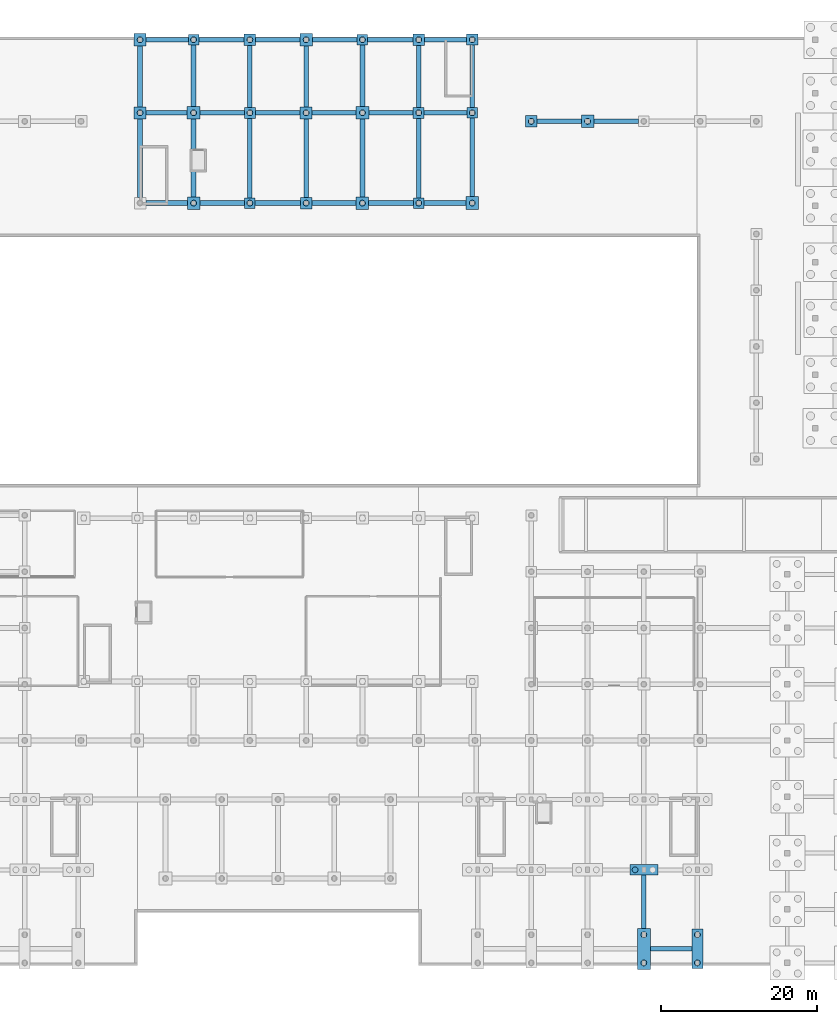
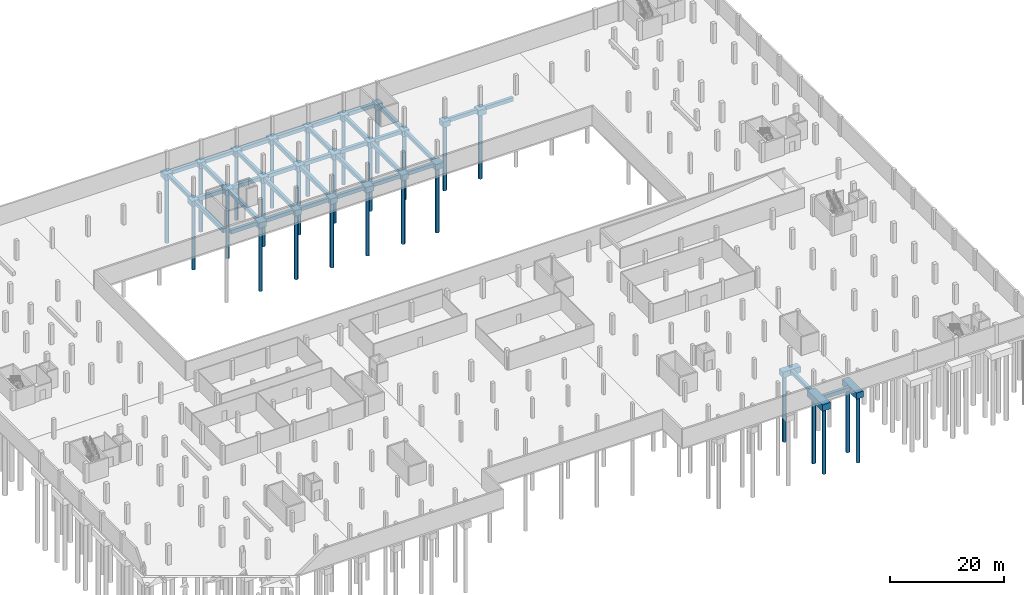
# One storey, part 8 of 36: 61 footings, 27 piles.
"""IFC4 building model written with IfcOpenShell, lengths in metres."""

from ifc_helpers import new_model, si_unit, derived_unit, direction, frame, origin, origin_2d, place, context, subcontext, project, spatial, polyline, rectangle, circle, outline, extrude, material, material_profile, profile_set, type_object, element, save


model = new_model("IFC4")

# Units and contexts
model_context = context("Model", 3, precision=1e-05, world=origin(), true_north=direction((0.0, 1.0)))
body_context = subcontext(model_context, "Body", "Model", "MODEL_VIEW")
ifc_project = project(units=[si_unit("LENGTHUNIT", "METRE"), si_unit("AREAUNIT", "SQUARE_METRE"), si_unit("VOLUMEUNIT", "CUBIC_METRE"), si_unit("PLANEANGLEUNIT", "RADIAN"), si_unit("MASSUNIT", "GRAM", prefix="KILO"), derived_unit("THERMALTRANSMITTANCEUNIT", [(si_unit("MASSUNIT", "GRAM", prefix="KILO"), 1), (si_unit("TIMEUNIT", "SECOND"), -3), (si_unit("THERMODYNAMICTEMPERATUREUNIT", "KELVIN"), -1)])], contexts=[model_context])

# Site, building, storey
site_placement = place(None, origin())
site = spatial("IfcSite", under=ifc_project, at=site_placement, CompositionType="ELEMENT")
building_placement = place(site_placement, origin())
building = spatial("IfcBuilding", under=site, at=building_placement, Name="Ochrekiln Boulevard Commons", CompositionType="ELEMENT")
storey_placement = place(building_placement, frame((0.0, 0.0, -4.199951171875)))
storey = spatial("IfcBuildingStorey", under=building, at=storey_placement, Name="B1", CompositionType="ELEMENT", Elevation=-4.199951171875)

# Footings
ifc_material = material(Name="Concrete C35/45", Category="concrete")
footing_type_1 = type_object("IfcFootingType", Name="CAP-RC-1350x1350x1200", PredefinedType="PILE_CAP", material=ifc_material)
for number, where, z_axis, x_axis, name in (
    (1, (72.0, 118.449951171875, -1.5), (0.0, 0.0, 1.0), (1.0, 0.0, 0.0), "Reinforced Concrete Pile Cap PC-27 (96)"),
    (2, (79.199951171875, 97.550048828125, -1.5), (0.0, 0.0, 1.0), (1.0, 0.0, 0.0), "Reinforced Concrete Pile Cap PC-27 (102)"),
    (3, (93.60009765625, 118.449951171875, -1.5), (0.0, 0.0, 1.0), (1.0, 0.0, 0.0), "Reinforced Concrete Pile Cap PC-27 (120)"),
    (4, (100.800048828125, 97.550048828125, -1.5), (0.0, 0.0, 1.0), (1.0, 0.0, 0.0), "Reinforced Concrete Pile Cap PC-27 (126)"),
    (5, (107.64990234375, 109.10009765625, -1.5), (0.0, 0.0, 1.0), (1.0, 0.0, 0.0), "Reinforced Concrete Pile Cap PC-27 (132)"),
):
    element("IfcFooting", number, at=place(storey_placement, frame(where, z_axis=z_axis, x_axis=x_axis)), inside=storey, type_object=footing_type_1, Name=name, PredefinedType="PILE_CAP", context=body_context, shape_type="SweptSolid", body=[
        extrude(rectangle(XDim=1.35009765625, YDim=1.35009765625, at=origin_2d()), origin(), (0.0, 0.0, 1.0), 1.199951171875),
    ])
footing_type_2 = type_object("IfcFootingType", Name="CAP-RC-1410x1410x1200", PredefinedType="PILE_CAP", material=ifc_material)
for number, where, z_axis, x_axis, name in (
    (6, (79.199951171875, 109.10009765625, -1.5), (0.0, 0.0, 1.0), (1.0, 0.0, 0.0), "Reinforced Concrete Pile Cap PC-28 (103)"),
    (7, (100.800048828125, 109.10009765625, -1.5), (0.0, 0.0, 1.0), (1.0, 0.0, 0.0), "Reinforced Concrete Pile Cap PC-28 (127)"),
    (8, (107.64990234375, 118.449951171875, -1.5), (0.0, 0.0, 1.0), (1.0, 0.0, 0.0), "Reinforced Concrete Pile Cap PC-28 (133)"),
):
    element("IfcFooting", number, at=place(storey_placement, frame(where, z_axis=z_axis, x_axis=x_axis)), inside=storey, type_object=footing_type_2, Name=name, PredefinedType="PILE_CAP", context=body_context, shape_type="SweptSolid", body=[
        extrude(rectangle(XDim=1.409912109375, YDim=1.409912109375, at=origin_2d()), origin(), (0.0, 0.0, 1.0), 1.199951171875),
    ])
footing_type_3 = type_object("IfcFootingType", Name="CAP-RC-1410x5010x1300", PredefinedType="PILE_CAP", material=ifc_material)
footing_1_placement = place(storey_placement, frame((136.449951171875, 2.14990234375, -1.60009765625), z_axis=(0.0, 0.0, 1.0), x_axis=(1.0, 0.0, 0.0)))
element("IfcFooting", 9, at=footing_1_placement, inside=storey, type_object=footing_type_3, Name="Reinforced Concrete Pile Cap PC-34 (163)", PredefinedType="PILE_CAP", context=body_context, shape_type="SweptSolid", body=[
    extrude(rectangle(XDim=1.409912109375, YDim=5.010009765625, at=origin_2d()), origin(), (0.0, 0.0, 1.0), 1.300048828125),
])
footing_type_4 = type_object("IfcFootingType", Name="CAP-RC-1470x1470x1200", PredefinedType="PILE_CAP", material=ifc_material)
for number, where, z_axis, x_axis, name in (
    (10, (79.199951171875, 118.449951171875, -1.5), (0.0, 0.0, 1.0), (1.0, 0.0, 0.0), "Reinforced Concrete Pile Cap PC-29 (104)"),
    (11, (86.39990234375, 97.550048828125, -1.5), (0.0, 0.0, 1.0), (1.0, 0.0, 0.0), "Reinforced Concrete Pile Cap PC-29 (110)"),
    (12, (100.800048828125, 118.449951171875, -1.5), (0.0, 0.0, 1.0), (1.0, 0.0, 0.0), "Reinforced Concrete Pile Cap PC-29 (128)"),
    (13, (115.199951171875, 108.0, -1.5), (0.0, 0.0, 1.0), (1.0, 0.0, 0.0), "Reinforced Concrete Pile Cap PC-29 (146)"),
):
    element("IfcFooting", number, at=place(storey_placement, frame(where, z_axis=z_axis, x_axis=x_axis)), inside=storey, type_object=footing_type_4, Name=name, PredefinedType="PILE_CAP", context=body_context, shape_type="SweptSolid", body=[
        extrude(rectangle(XDim=1.469970703125, YDim=1.469970703125, at=origin_2d()), origin(), (0.0, 0.0, 1.0), 1.199951171875),
    ])
footing_type_5 = type_object("IfcFootingType", Name="CAP-RC-1530x1530x1200", PredefinedType="PILE_CAP", material=ifc_material)
for number, where, z_axis, x_axis, name in (
    (14, (65.14990234375, 109.10009765625, -1.5), (0.0, 0.0, 1.0), (1.0, 0.0, 0.0), "Reinforced Concrete Pile Cap PC-30 (87)"),
    (15, (86.39990234375, 109.10009765625, -1.5), (0.0, 0.0, 1.0), (1.0, 0.0, 0.0), "Reinforced Concrete Pile Cap PC-30 (111)"),
):
    element("IfcFooting", number, at=place(storey_placement, frame(where, z_axis=z_axis, x_axis=x_axis)), inside=storey, type_object=footing_type_5, Name=name, PredefinedType="PILE_CAP", context=body_context, shape_type="SweptSolid", body=[
        extrude(rectangle(XDim=1.530029296875, YDim=1.530029296875, at=origin_2d()), origin(), (0.0, 0.0, 1.0), 1.199951171875),
    ])
footing_type_6 = type_object("IfcFootingType", Name="CAP-RC-1590x1590x1200", PredefinedType="PILE_CAP", material=ifc_material)
for number, where, z_axis, x_axis, name in (
    (16, (65.14990234375, 118.449951171875, -1.5), (0.0, 0.0, 1.0), (1.0, 0.0, 0.0), "Reinforced Concrete Pile Cap PC-26 (88)"),
    (17, (72.0, 97.550048828125, -1.5), (0.0, 0.0, 1.0), (1.0, 0.0, 0.0), "Reinforced Concrete Pile Cap PC-26 (94)"),
    (18, (86.39990234375, 118.449951171875, -1.5), (0.0, 0.0, 1.0), (1.0, 0.0, 0.0), "Reinforced Concrete Pile Cap PC-26 (112)"),
    (19, (93.60009765625, 97.550048828125, -1.5), (0.0, 0.0, 1.0), (1.0, 0.0, 0.0), "Reinforced Concrete Pile Cap PC-26 (118)"),
    (20, (122.39990234375, 108.0, -1.5), (0.0, 0.0, 1.0), (1.0, 0.0, 0.0), "Reinforced Concrete Pile Cap PC-26 (154)"),
):
    element("IfcFooting", number, at=place(storey_placement, frame(where, z_axis=z_axis, x_axis=x_axis)), inside=storey, type_object=footing_type_6, Name=name, PredefinedType="PILE_CAP", context=body_context, shape_type="SweptSolid", body=[
        extrude(rectangle(XDim=1.590087890625, YDim=1.590087890625, at=origin_2d()), origin(), (0.0, 0.0, 1.0), 1.199951171875),
    ])
footing_type_7 = type_object("IfcFootingType", Name="CAP-RC-1650x1650x1200", PredefinedType="PILE_CAP", material=ifc_material)
for number, where, z_axis, x_axis, name in (
    (21, (72.0, 109.10009765625, -1.5), (0.0, 0.0, 1.0), (1.0, 0.0, 0.0), "Reinforced Concrete Pile Cap PC-17 (95)"),
    (22, (93.60009765625, 109.10009765625, -1.5), (0.0, 0.0, 1.0), (1.0, 0.0, 0.0), "Reinforced Concrete Pile Cap PC-17 (119)"),
    (23, (107.64990234375, 97.550048828125, -1.5), (0.0, 0.0, 1.0), (1.0, 0.0, 0.0), "Reinforced Concrete Pile Cap PC-17 (131)"),
):
    element("IfcFooting", number, at=place(storey_placement, frame(where, z_axis=z_axis, x_axis=x_axis)), inside=storey, type_object=footing_type_7, Name=name, PredefinedType="PILE_CAP", context=body_context, shape_type="SweptSolid", body=[
        extrude(rectangle(XDim=1.64990234375, YDim=1.64990234375, at=origin_2d()), origin(), (0.0, 0.0, 1.0), 1.199951171875),
    ])
footing_type_8 = type_object("IfcFootingType", Name="CAP-RC-1650x5250x1350", PredefinedType="PILE_CAP", material=ifc_material)
footing_2_placement = place(storey_placement, frame((129.60009765625, 2.14990234375, -1.650146484375), z_axis=(0.0, 0.0, 1.0), x_axis=(1.0, 0.0, 0.0)))
element("IfcFooting", 24, at=footing_2_placement, inside=storey, type_object=footing_type_8, Name="Reinforced Concrete Pile Cap PC-41 (155)", PredefinedType="PILE_CAP", context=body_context, shape_type="SweptSolid", body=[
    extrude(rectangle(XDim=1.64990234375, YDim=5.25, at=origin_2d()), origin(), (0.0, 0.0, 1.0), 1.35009765625),
])
footing_type_9 = type_object("IfcFootingType", Name="CAP-RC-3600x1350x1250", PredefinedType="PILE_CAP", material=ifc_material)
footing_3_placement = place(storey_placement, frame((129.60009765625, 12.25, -1.550048828125), z_axis=(0.0, 0.0, 1.0), x_axis=(1.0, 0.0, 0.0)))
element("IfcFooting", 25, at=footing_3_placement, inside=storey, type_object=footing_type_9, Name="Reinforced Concrete Pile Cap PC-33 (156)", PredefinedType="PILE_CAP", context=body_context, shape_type="SweptSolid", body=[
    extrude(rectangle(XDim=3.60009765625, YDim=1.35009765625, at=origin_2d()), origin(), (0.0, 0.0, 1.0), 1.25),
])
footing_type_10 = type_object("IfcFootingType", Name="FTG-BEAM-600x800", PredefinedType="FOOTING_BEAM", material=ifc_material)
footing_4_placement = place(storey_placement, frame((0.0, 0.0, -1.10009765625)))
element("IfcFooting", 26, at=footing_4_placement, inside=storey, type_object=footing_type_10, Name="Seismic Footing Tie Beam FB-6080 X-102", PredefinedType="FOOTING_BEAM", context=body_context, shape_type="SweptSolid", body=[
    extrude(outline(polyline([(65.885009765625, 97.25), (71.205078125, 97.25), (71.205078125, 97.85009765625), (65.885009765625, 97.85009765625), (65.885009765625, 97.25)])), origin(), (0.0, 0.0, 1.0), 0.800048828125),
])
footing_5_placement = place(storey_placement, frame((0.0, 0.0, -1.10009765625)))
element("IfcFooting", 27, at=footing_5_placement, inside=storey, type_object=footing_type_10, Name="Seismic Footing Tie Beam FB-6080 X-103", PredefinedType="FOOTING_BEAM", context=body_context, shape_type="SweptSolid", body=[
    extrude(outline(polyline([(72.794921875, 97.25), (78.52490234375, 97.25), (78.52490234375, 97.85009765625), (72.794921875, 97.85009765625), (72.794921875, 97.25)])), origin(), (0.0, 0.0, 1.0), 0.800048828125),
])
footing_6_placement = place(storey_placement, frame((0.0, 0.0, -1.10009765625)))
element("IfcFooting", 28, at=footing_6_placement, inside=storey, type_object=footing_type_10, Name="Seismic Footing Tie Beam FB-6080 X-104", PredefinedType="FOOTING_BEAM", context=body_context, shape_type="SweptSolid", body=[
    extrude(outline(polyline([(79.875, 97.25), (85.6650390625, 97.25), (85.6650390625, 97.85009765625), (79.875, 97.85009765625), (79.875, 97.25)])), origin(), (0.0, 0.0, 1.0), 0.800048828125),
])
footing_7_placement = place(storey_placement, frame((0.0, 0.0, -1.10009765625)))
element("IfcFooting", 29, at=footing_7_placement, inside=storey, type_object=footing_type_10, Name="Seismic Footing Tie Beam FB-6080 X-105", PredefinedType="FOOTING_BEAM", context=body_context, shape_type="SweptSolid", body=[
    extrude(outline(polyline([(87.135009765625, 97.25), (92.804931640625, 97.25), (92.804931640625, 97.85009765625), (87.135009765625, 97.85009765625), (87.135009765625, 97.25)])), origin(), (0.0, 0.0, 1.0), 0.800048828125),
])
footing_8_placement = place(storey_placement, frame((0.0, 0.0, -1.10009765625)))
element("IfcFooting", 30, at=footing_8_placement, inside=storey, type_object=footing_type_10, Name="Seismic Footing Tie Beam FB-6080 X-106", PredefinedType="FOOTING_BEAM", context=body_context, shape_type="SweptSolid", body=[
    extrude(outline(polyline([(94.39501953125, 97.25), (100.125, 97.25), (100.125, 97.85009765625), (94.39501953125, 97.85009765625), (94.39501953125, 97.25)])), origin(), (0.0, 0.0, 1.0), 0.800048828125),
])
footing_9_placement = place(storey_placement, frame((0.0, 0.0, -1.10009765625)))
element("IfcFooting", 31, at=footing_9_placement, inside=storey, type_object=footing_type_10, Name="Seismic Footing Tie Beam FB-6080 X-107", PredefinedType="FOOTING_BEAM", context=body_context, shape_type="SweptSolid", body=[
    extrude(outline(polyline([(101.47509765625, 97.25), (106.824951171875, 97.25), (106.824951171875, 97.85009765625), (101.47509765625, 97.85009765625), (101.47509765625, 97.25)])), origin(), (0.0, 0.0, 1.0), 0.800048828125),
])
footing_10_placement = place(storey_placement, frame((0.0, 0.0, -1.10009765625)))
element("IfcFooting", 32, at=footing_10_placement, inside=storey, type_object=footing_type_10, Name="Seismic Footing Tie Beam FB-6080 X-114", PredefinedType="FOOTING_BEAM", context=body_context, shape_type="SweptSolid", body=[
    extrude(outline(polyline([(65.945068359375, 118.14990234375), (71.324951171875, 118.14990234375), (71.324951171875, 118.75), (65.945068359375, 118.75), (65.945068359375, 118.14990234375)])), origin(), (0.0, 0.0, 1.0), 0.800048828125),
])
footing_11_placement = place(storey_placement, frame((0.0, 0.0, -1.10009765625)))
element("IfcFooting", 33, at=footing_11_placement, inside=storey, type_object=footing_type_10, Name="Seismic Footing Tie Beam FB-6080 X-115", PredefinedType="FOOTING_BEAM", context=body_context, shape_type="SweptSolid", body=[
    extrude(outline(polyline([(72.675048828125, 118.14990234375), (78.465087890625, 118.14990234375), (78.465087890625, 118.75), (72.675048828125, 118.75), (72.675048828125, 118.14990234375)])), origin(), (0.0, 0.0, 1.0), 0.800048828125),
])
footing_12_placement = place(storey_placement, frame((0.0, 0.0, -1.10009765625)))
element("IfcFooting", 34, at=footing_12_placement, inside=storey, type_object=footing_type_10, Name="Seismic Footing Tie Beam FB-6080 X-116", PredefinedType="FOOTING_BEAM", context=body_context, shape_type="SweptSolid", body=[
    extrude(outline(polyline([(79.93505859375, 118.14990234375), (85.60498046875, 118.14990234375), (85.60498046875, 118.75), (79.93505859375, 118.75), (79.93505859375, 118.14990234375)])), origin(), (0.0, 0.0, 1.0), 0.800048828125),
])
footing_13_placement = place(storey_placement, frame((0.0, 0.0, -1.10009765625)))
element("IfcFooting", 35, at=footing_13_placement, inside=storey, type_object=footing_type_10, Name="Seismic Footing Tie Beam FB-6080 X-117", PredefinedType="FOOTING_BEAM", context=body_context, shape_type="SweptSolid", body=[
    extrude(outline(polyline([(87.195068359375, 118.14990234375), (92.925048828125, 118.14990234375), (92.925048828125, 118.75), (87.195068359375, 118.75), (87.195068359375, 118.14990234375)])), origin(), (0.0, 0.0, 1.0), 0.800048828125),
])
footing_14_placement = place(storey_placement, frame((0.0, 0.0, -1.10009765625)))
element("IfcFooting", 36, at=footing_14_placement, inside=storey, type_object=footing_type_10, Name="Seismic Footing Tie Beam FB-6080 X-118", PredefinedType="FOOTING_BEAM", context=body_context, shape_type="SweptSolid", body=[
    extrude(outline(polyline([(94.27490234375, 118.14990234375), (100.06494140625, 118.14990234375), (100.06494140625, 118.75), (94.27490234375, 118.75), (94.27490234375, 118.14990234375)])), origin(), (0.0, 0.0, 1.0), 0.800048828125),
])
footing_15_placement = place(storey_placement, frame((0.0, 0.0, -1.10009765625)))
element("IfcFooting", 37, at=footing_15_placement, inside=storey, type_object=footing_type_10, Name="Seismic Footing Tie Beam FB-6080 X-119", PredefinedType="FOOTING_BEAM", context=body_context, shape_type="SweptSolid", body=[
    extrude(outline(polyline([(101.534912109375, 118.14990234375), (106.945068359375, 118.14990234375), (106.945068359375, 118.75), (101.534912109375, 118.75), (101.534912109375, 118.14990234375)])), origin(), (0.0, 0.0, 1.0), 0.800048828125),
])
footing_16_placement = place(storey_placement, frame((0.0, 0.0, -1.10009765625)))
element("IfcFooting", 38, at=footing_16_placement, inside=storey, type_object=footing_type_10, Name="Seismic Footing Tie Beam FB-6080 X-136", PredefinedType="FOOTING_BEAM", context=body_context, shape_type="SweptSolid", body=[
    extrude(outline(polyline([(115.93505859375, 107.699951171875), (121.60498046875, 107.699951171875), (121.60498046875, 108.300048828125), (115.93505859375, 108.300048828125), (115.93505859375, 107.699951171875)])), origin(), (0.0, 0.0, 1.0), 0.800048828125),
])
footing_17_placement = place(storey_placement, frame((0.0, 0.0, -1.10009765625)))
element("IfcFooting", 39, at=footing_17_placement, inside=storey, type_object=footing_type_10, Name="Seismic Footing Tie Beam FB-6080 X-137", PredefinedType="FOOTING_BEAM", context=body_context, shape_type="SweptSolid", body=[
    extrude(outline(polyline([(123.195068359375, 107.699951171875), (128.925048828125, 107.699951171875), (128.925048828125, 108.300048828125), (123.195068359375, 108.300048828125), (123.195068359375, 107.699951171875)])), origin(), (0.0, 0.0, 1.0), 0.800048828125),
])
footing_18_placement = place(storey_placement, frame((0.0, 0.0, -1.10009765625)))
element("IfcFooting", 40, at=footing_18_placement, inside=storey, type_object=footing_type_10, Name="Seismic Footing Tie Beam FB-6080 X-147", PredefinedType="FOOTING_BEAM", context=body_context, shape_type="SweptSolid", body=[
    extrude(outline(polyline([(130.425048828125, 1.85009765625), (135.7451171875, 1.85009765625), (135.7451171875, 2.449951171875), (130.425048828125, 2.449951171875), (130.425048828125, 1.85009765625)])), origin(), (0.0, 0.0, 1.0), 0.800048828125),
])
footing_19_placement = place(storey_placement, frame((0.0, 0.0, -1.10009765625)))
element("IfcFooting", 41, at=footing_19_placement, inside=storey, type_object=footing_type_10, Name="Seismic Footing Tie Beam FB-6080 X-156", PredefinedType="FOOTING_BEAM", context=body_context, shape_type="SweptSolid", body=[
    extrude(outline(polyline([(65.9150390625, 108.800048828125), (71.175048828125, 108.800048828125), (71.175048828125, 109.39990234375), (65.9150390625, 109.39990234375), (65.9150390625, 108.800048828125)])), origin(), (0.0, 0.0, 1.0), 0.800048828125),
])
footing_20_placement = place(storey_placement, frame((0.0, 0.0, -1.10009765625)))
element("IfcFooting", 42, at=footing_20_placement, inside=storey, type_object=footing_type_10, Name="Seismic Footing Tie Beam FB-6080 X-157", PredefinedType="FOOTING_BEAM", context=body_context, shape_type="SweptSolid", body=[
    extrude(outline(polyline([(72.824951171875, 108.800048828125), (78.4951171875, 108.800048828125), (78.4951171875, 109.39990234375), (72.824951171875, 109.39990234375), (72.824951171875, 108.800048828125)])), origin(), (0.0, 0.0, 1.0), 0.800048828125),
])
footing_21_placement = place(storey_placement, frame((0.0, 0.0, -1.10009765625)))
element("IfcFooting", 43, at=footing_21_placement, inside=storey, type_object=footing_type_10, Name="Seismic Footing Tie Beam FB-6080 X-158", PredefinedType="FOOTING_BEAM", context=body_context, shape_type="SweptSolid", body=[
    extrude(outline(polyline([(79.905029296875, 108.800048828125), (85.635009765625, 108.800048828125), (85.635009765625, 109.39990234375), (79.905029296875, 109.39990234375), (79.905029296875, 108.800048828125)])), origin(), (0.0, 0.0, 1.0), 0.800048828125),
])
footing_22_placement = place(storey_placement, frame((0.0, 0.0, -1.10009765625)))
element("IfcFooting", 44, at=footing_22_placement, inside=storey, type_object=footing_type_10, Name="Seismic Footing Tie Beam FB-6080 X-159", PredefinedType="FOOTING_BEAM", context=body_context, shape_type="SweptSolid", body=[
    extrude(outline(polyline([(87.1650390625, 108.800048828125), (92.77490234375, 108.800048828125), (92.77490234375, 109.39990234375), (87.1650390625, 109.39990234375), (87.1650390625, 108.800048828125)])), origin(), (0.0, 0.0, 1.0), 0.800048828125),
])
footing_23_placement = place(storey_placement, frame((0.0, 0.0, -1.10009765625)))
element("IfcFooting", 45, at=footing_23_placement, inside=storey, type_object=footing_type_10, Name="Seismic Footing Tie Beam FB-6080 X-160", PredefinedType="FOOTING_BEAM", context=body_context, shape_type="SweptSolid", body=[
    extrude(outline(polyline([(94.425048828125, 108.800048828125), (100.094970703125, 108.800048828125), (100.094970703125, 109.39990234375), (94.425048828125, 109.39990234375), (94.425048828125, 108.800048828125)])), origin(), (0.0, 0.0, 1.0), 0.800048828125),
])
footing_24_placement = place(storey_placement, frame((0.0, 0.0, -1.10009765625)))
element("IfcFooting", 46, at=footing_24_placement, inside=storey, type_object=footing_type_10, Name="Seismic Footing Tie Beam FB-6080 X-161", PredefinedType="FOOTING_BEAM", context=body_context, shape_type="SweptSolid", body=[
    extrude(outline(polyline([(101.5048828125, 108.800048828125), (106.97509765625, 108.800048828125), (106.97509765625, 109.39990234375), (101.5048828125, 109.39990234375), (101.5048828125, 108.800048828125)])), origin(), (0.0, 0.0, 1.0), 0.800048828125),
])
footing_25_placement = place(storey_placement, frame((0.0, 0.0, -1.10009765625)))
element("IfcFooting", 47, at=footing_25_placement, inside=storey, type_object=footing_type_10, Name="Seismic Footing Tie Beam FB-6080 Y-230", PredefinedType="FOOTING_BEAM", context=body_context, shape_type="SweptSolid", body=[
    extrude(outline(polyline([(64.85009765625, 98.284912109375), (65.449951171875, 98.284912109375), (65.449951171875, 108.3349609375), (64.85009765625, 108.3349609375), (64.85009765625, 98.284912109375)])), origin(), (0.0, 0.0, 1.0), 0.800048828125),
])
footing_26_placement = place(storey_placement, frame((0.0, 0.0, -1.10009765625)))
element("IfcFooting", 48, at=footing_26_placement, inside=storey, type_object=footing_type_10, Name="Seismic Footing Tie Beam FB-6080 Y-231", PredefinedType="FOOTING_BEAM", context=body_context, shape_type="SweptSolid", body=[
    extrude(outline(polyline([(64.85009765625, 109.864990234375), (65.449951171875, 109.864990234375), (65.449951171875, 117.655029296875), (64.85009765625, 117.655029296875), (64.85009765625, 109.864990234375)])), origin(), (0.0, 0.0, 1.0), 0.800048828125),
])
footing_27_placement = place(storey_placement, frame((0.0, 0.0, -1.10009765625)))
element("IfcFooting", 49, at=footing_27_placement, inside=storey, type_object=footing_type_10, Name="Seismic Footing Tie Beam FB-6080 Y-234", PredefinedType="FOOTING_BEAM", context=body_context, shape_type="SweptSolid", body=[
    extrude(outline(polyline([(71.699951171875, 98.344970703125), (72.300048828125, 98.344970703125), (72.300048828125, 108.27490234375), (71.699951171875, 108.27490234375), (71.699951171875, 98.344970703125)])), origin(), (0.0, 0.0, 1.0), 0.800048828125),
])
footing_28_placement = place(storey_placement, frame((0.0, 0.0, -1.10009765625)))
element("IfcFooting", 50, at=footing_28_placement, inside=storey, type_object=footing_type_10, Name="Seismic Footing Tie Beam FB-6080 Y-235", PredefinedType="FOOTING_BEAM", context=body_context, shape_type="SweptSolid", body=[
    extrude(outline(polyline([(71.699951171875, 109.925048828125), (72.300048828125, 109.925048828125), (72.300048828125, 117.77490234375), (71.699951171875, 117.77490234375), (71.699951171875, 109.925048828125)])), origin(), (0.0, 0.0, 1.0), 0.800048828125),
])
footing_29_placement = place(storey_placement, frame((0.0, 0.0, -1.10009765625)))
element("IfcFooting", 51, at=footing_29_placement, inside=storey, type_object=footing_type_10, Name="Seismic Footing Tie Beam FB-6080 Y-238", PredefinedType="FOOTING_BEAM", context=body_context, shape_type="SweptSolid", body=[
    extrude(outline(polyline([(78.89990234375, 98.22509765625), (79.5, 98.22509765625), (79.5, 108.39501953125), (78.89990234375, 108.39501953125), (78.89990234375, 98.22509765625)])), origin(), (0.0, 0.0, 1.0), 0.800048828125),
])
footing_30_placement = place(storey_placement, frame((0.0, 0.0, -1.10009765625)))
element("IfcFooting", 52, at=footing_30_placement, inside=storey, type_object=footing_type_10, Name="Seismic Footing Tie Beam FB-6080 Y-239", PredefinedType="FOOTING_BEAM", context=body_context, shape_type="SweptSolid", body=[
    extrude(outline(polyline([(78.89990234375, 109.804931640625), (79.5, 109.804931640625), (79.5, 117.715087890625), (78.89990234375, 117.715087890625), (78.89990234375, 109.804931640625)])), origin(), (0.0, 0.0, 1.0), 0.800048828125),
])
footing_31_placement = place(storey_placement, frame((0.0, 0.0, -1.10009765625)))
element("IfcFooting", 53, at=footing_31_placement, inside=storey, type_object=footing_type_10, Name="Seismic Footing Tie Beam FB-6080 Y-242", PredefinedType="FOOTING_BEAM", context=body_context, shape_type="SweptSolid", body=[
    extrude(outline(polyline([(86.10009765625, 98.284912109375), (86.699951171875, 98.284912109375), (86.699951171875, 108.3349609375), (86.10009765625, 108.3349609375), (86.10009765625, 98.284912109375)])), origin(), (0.0, 0.0, 1.0), 0.800048828125),
])
footing_32_placement = place(storey_placement, frame((0.0, 0.0, -1.10009765625)))
element("IfcFooting", 54, at=footing_32_placement, inside=storey, type_object=footing_type_10, Name="Seismic Footing Tie Beam FB-6080 Y-243", PredefinedType="FOOTING_BEAM", context=body_context, shape_type="SweptSolid", body=[
    extrude(outline(polyline([(86.10009765625, 109.864990234375), (86.699951171875, 109.864990234375), (86.699951171875, 117.655029296875), (86.10009765625, 117.655029296875), (86.10009765625, 109.864990234375)])), origin(), (0.0, 0.0, 1.0), 0.800048828125),
])
footing_33_placement = place(storey_placement, frame((0.0, 0.0, -1.10009765625)))
element("IfcFooting", 55, at=footing_33_placement, inside=storey, type_object=footing_type_10, Name="Seismic Footing Tie Beam FB-6080 Y-246", PredefinedType="FOOTING_BEAM", context=body_context, shape_type="SweptSolid", body=[
    extrude(outline(polyline([(93.300048828125, 98.344970703125), (93.89990234375, 98.344970703125), (93.89990234375, 108.27490234375), (93.300048828125, 108.27490234375), (93.300048828125, 98.344970703125)])), origin(), (0.0, 0.0, 1.0), 0.800048828125),
])
footing_34_placement = place(storey_placement, frame((0.0, 0.0, -1.10009765625)))
element("IfcFooting", 56, at=footing_34_placement, inside=storey, type_object=footing_type_10, Name="Seismic Footing Tie Beam FB-6080 Y-247", PredefinedType="FOOTING_BEAM", context=body_context, shape_type="SweptSolid", body=[
    extrude(outline(polyline([(93.300048828125, 109.925048828125), (93.89990234375, 109.925048828125), (93.89990234375, 117.77490234375), (93.300048828125, 117.77490234375), (93.300048828125, 109.925048828125)])), origin(), (0.0, 0.0, 1.0), 0.800048828125),
])
footing_35_placement = place(storey_placement, frame((0.0, 0.0, -1.10009765625)))
element("IfcFooting", 57, at=footing_35_placement, inside=storey, type_object=footing_type_10, Name="Seismic Footing Tie Beam FB-6080 Y-250", PredefinedType="FOOTING_BEAM", context=body_context, shape_type="SweptSolid", body=[
    extrude(outline(polyline([(100.5, 98.22509765625), (101.10009765625, 98.22509765625), (101.10009765625, 108.39501953125), (100.5, 108.39501953125), (100.5, 98.22509765625)])), origin(), (0.0, 0.0, 1.0), 0.800048828125),
])
footing_36_placement = place(storey_placement, frame((0.0, 0.0, -1.10009765625)))
element("IfcFooting", 58, at=footing_36_placement, inside=storey, type_object=footing_type_10, Name="Seismic Footing Tie Beam FB-6080 Y-251", PredefinedType="FOOTING_BEAM", context=body_context, shape_type="SweptSolid", body=[
    extrude(outline(polyline([(100.5, 109.804931640625), (101.10009765625, 109.804931640625), (101.10009765625, 117.715087890625), (100.5, 117.715087890625), (100.5, 109.804931640625)])), origin(), (0.0, 0.0, 1.0), 0.800048828125),
])
footing_37_placement = place(storey_placement, frame((0.0, 0.0, -1.10009765625)))
element("IfcFooting", 59, at=footing_37_placement, inside=storey, type_object=footing_type_10, Name="Seismic Footing Tie Beam FB-6080 Y-256", PredefinedType="FOOTING_BEAM", context=body_context, shape_type="SweptSolid", body=[
    extrude(outline(polyline([(107.35009765625, 98.375), (107.949951171875, 98.375), (107.949951171875, 108.425048828125), (107.35009765625, 108.425048828125), (107.35009765625, 98.375)])), origin(), (0.0, 0.0, 1.0), 0.800048828125),
])
footing_38_placement = place(storey_placement, frame((0.0, 0.0, -1.10009765625)))
element("IfcFooting", 60, at=footing_38_placement, inside=storey, type_object=footing_type_10, Name="Seismic Footing Tie Beam FB-6080 Y-257", PredefinedType="FOOTING_BEAM", context=body_context, shape_type="SweptSolid", body=[
    extrude(outline(polyline([(107.35009765625, 109.77490234375), (107.949951171875, 109.77490234375), (107.949951171875, 117.7451171875), (107.35009765625, 117.7451171875), (107.35009765625, 109.77490234375)])), origin(), (0.0, 0.0, 1.0), 0.800048828125),
])
footing_39_placement = place(storey_placement, frame((0.0, 0.0, -1.10009765625)))
element("IfcFooting", 61, at=footing_39_placement, inside=storey, type_object=footing_type_10, Name="Seismic Footing Tie Beam FB-6080 Y-271", PredefinedType="FOOTING_BEAM", context=body_context, shape_type="SweptSolid", body=[
    extrude(outline(polyline([(129.300048828125, 4.77490234375), (129.89990234375, 4.77490234375), (129.89990234375, 11.574951171875), (129.300048828125, 11.574951171875), (129.300048828125, 4.77490234375)])), origin(), (0.0, 0.0, 1.0), 0.800048828125),
])

# Piles
ifc_material_profile = material_profile(ifc_material, circle(Radius=0.375, at=origin_2d()), Name="PILE-D750")
ifc_profile_set = profile_set([ifc_material_profile], Name="Concrete C35/45")
pile_type = type_object("IfcPileType", Name="PILE-BORED-750", PredefinedType="BORED", material=ifc_profile_set)
for number, where, z_axis, x_axis, name in (
    (62, (65.14990234375, 109.10009765625, -1.400146484375), (0.0, 0.0, -1.0), (1.0, 0.0, 0.0), "Caliche-Socketed Bored Pile BP-750 (87.1)"),
    (63, (65.14990234375, 118.449951171875, -1.400146484375), (0.0, 0.0, -1.0), (1.0, 0.0, 0.0), "Caliche-Socketed Bored Pile BP-750 (88.1)"),
    (64, (72.0, 97.550048828125, -1.400146484375), (0.0, 0.0, -1.0), (1.0, 0.0, 0.0), "Caliche-Socketed Bored Pile BP-750 (94.1)"),
    (65, (72.0, 109.10009765625, -1.400146484375), (0.0, 0.0, -1.0), (1.0, 0.0, 0.0), "Caliche-Socketed Bored Pile BP-750 (95.1)"),
    (66, (72.0, 118.449951171875, -1.400146484375), (0.0, 0.0, -1.0), (1.0, 0.0, 0.0), "Caliche-Socketed Bored Pile BP-750 (96.1)"),
    (67, (79.199951171875, 97.550048828125, -1.400146484375), (0.0, 0.0, -1.0), (1.0, 0.0, 0.0), "Caliche-Socketed Bored Pile BP-750 (102.1)"),
    (68, (79.199951171875, 109.10009765625, -1.400146484375), (0.0, 0.0, -1.0), (1.0, 0.0, 0.0), "Caliche-Socketed Bored Pile BP-750 (103.1)"),
    (69, (79.199951171875, 118.449951171875, -1.400146484375), (0.0, 0.0, -1.0), (1.0, 0.0, 0.0), "Caliche-Socketed Bored Pile BP-750 (104.1)"),
    (70, (86.39990234375, 97.550048828125, -1.400146484375), (0.0, 0.0, -1.0), (1.0, 0.0, 0.0), "Caliche-Socketed Bored Pile BP-750 (110.1)"),
    (71, (86.39990234375, 109.10009765625, -1.400146484375), (0.0, 0.0, -1.0), (1.0, 0.0, 0.0), "Caliche-Socketed Bored Pile BP-750 (111.1)"),
    (72, (86.39990234375, 118.449951171875, -1.400146484375), (0.0, 0.0, -1.0), (1.0, 0.0, 0.0), "Caliche-Socketed Bored Pile BP-750 (112.1)"),
    (73, (93.60009765625, 97.550048828125, -1.400146484375), (0.0, 0.0, -1.0), (1.0, 0.0, 0.0), "Caliche-Socketed Bored Pile BP-750 (118.1)"),
    (74, (93.60009765625, 109.10009765625, -1.400146484375), (0.0, 0.0, -1.0), (1.0, 0.0, 0.0), "Caliche-Socketed Bored Pile BP-750 (119.1)"),
    (75, (93.60009765625, 118.449951171875, -1.400146484375), (0.0, 0.0, -1.0), (1.0, 0.0, 0.0), "Caliche-Socketed Bored Pile BP-750 (120.1)"),
    (76, (100.800048828125, 97.550048828125, -1.400146484375), (0.0, 0.0, -1.0), (1.0, 0.0, 0.0), "Caliche-Socketed Bored Pile BP-750 (126.1)"),
    (77, (100.800048828125, 109.10009765625, -1.400146484375), (0.0, 0.0, -1.0), (1.0, 0.0, 0.0), "Caliche-Socketed Bored Pile BP-750 (127.1)"),
    (78, (100.800048828125, 118.449951171875, -1.400146484375), (0.0, 0.0, -1.0), (1.0, 0.0, 0.0), "Caliche-Socketed Bored Pile BP-750 (128.1)"),
    (79, (107.64990234375, 97.550048828125, -1.400146484375), (0.0, 0.0, -1.0), (1.0, 0.0, 0.0), "Caliche-Socketed Bored Pile BP-750 (131.1)"),
    (80, (107.64990234375, 109.10009765625, -1.400146484375), (0.0, 0.0, -1.0), (1.0, 0.0, 0.0), "Caliche-Socketed Bored Pile BP-750 (132.1)"),
    (81, (107.64990234375, 118.449951171875, -1.400146484375), (0.0, 0.0, -1.0), (1.0, 0.0, 0.0), "Caliche-Socketed Bored Pile BP-750 (133.1)"),
    (82, (115.199951171875, 108.0, -1.400146484375), (0.0, 0.0, -1.0), (1.0, 0.0, 0.0), "Caliche-Socketed Bored Pile BP-750 (146.1)"),
    (83, (122.39990234375, 108.0, -1.400146484375), (0.0, 0.0, -1.0), (1.0, 0.0, 0.0), "Caliche-Socketed Bored Pile BP-750 (154.1)"),
):
    element("IfcPile", number, at=place(storey_placement, frame(where, z_axis=z_axis, x_axis=x_axis)), inside=storey, type_object=pile_type, Name=name, PredefinedType="BORED", context=body_context, shape_type="SweptSolid", body=[
        extrude(circle(Radius=0.375, at=origin_2d()), origin(), (0.0, 0.0, 1.0), 14.0),
    ])
for number, where, z_axis, x_axis, name in (
    (84, (129.60009765625, 0.35009765625, -1.550048828125), (0.0, 0.0, -1.0), (1.0, 0.0, 0.0), "Caliche-Socketed Bored Pile BP-750 (155.1)"),
    (85, (129.60009765625, 3.949951171875, -1.550048828125), (0.0, 0.0, -1.0), (1.0, 0.0, 0.0), "Caliche-Socketed Bored Pile BP-750 (155.2)"),
):
    element("IfcPile", number, at=place(storey_placement, frame(where, z_axis=z_axis, x_axis=x_axis)), inside=storey, type_object=pile_type, Name=name, PredefinedType="BORED", context=body_context, shape_type="SweptSolid", body=[
        extrude(circle(Radius=0.375, at=origin_2d()), origin(), (0.0, 0.0, 1.0), 14.050048828125),
    ])
pile_placement = place(storey_placement, frame((128.47509765625, 12.25, -1.449951171875), z_axis=(0.0, 0.0, -1.0), x_axis=(1.0, 0.0, 0.0)))
element("IfcPile", 86, at=pile_placement, inside=storey, type_object=pile_type, Name="Caliche-Socketed Bored Pile BP-750 (156.1)", PredefinedType="BORED", context=body_context, shape_type="SweptSolid", body=[
    extrude(circle(Radius=0.375, at=origin_2d()), origin(), (0.0, 0.0, 1.0), 14.14990234375),
])
for number, where, z_axis, x_axis, name in (
    (87, (136.449951171875, 0.35009765625, -1.5), (0.0, 0.0, -1.0), (1.0, 0.0, 0.0), "Caliche-Socketed Bored Pile BP-750 (163.1)"),
    (88, (136.449951171875, 3.949951171875, -1.5), (0.0, 0.0, -1.0), (1.0, 0.0, 0.0), "Caliche-Socketed Bored Pile BP-750 (163.2)"),
):
    element("IfcPile", number, at=place(storey_placement, frame(where, z_axis=z_axis, x_axis=x_axis)), inside=storey, type_object=pile_type, Name=name, PredefinedType="BORED", context=body_context, shape_type="SweptSolid", body=[
        extrude(circle(Radius=0.375, at=origin_2d()), origin(), (0.0, 0.0, 1.0), 14.10009765625),
    ])

save(model, "model.ifc")
